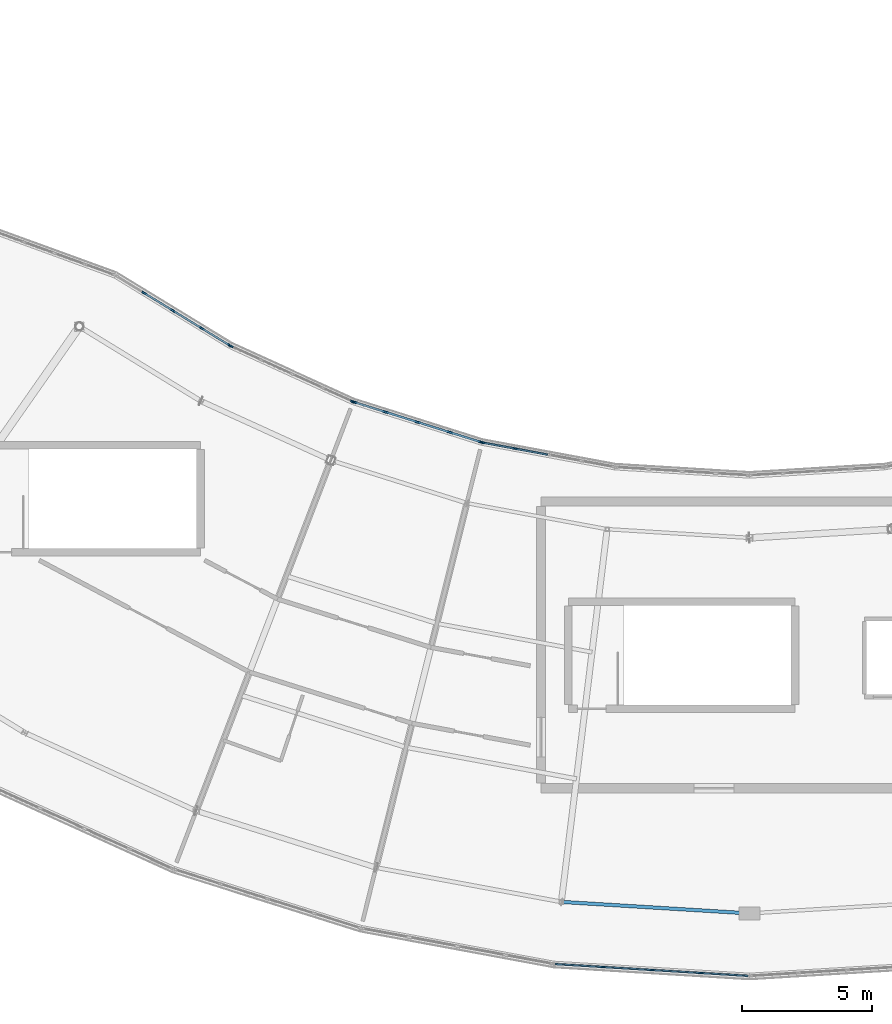
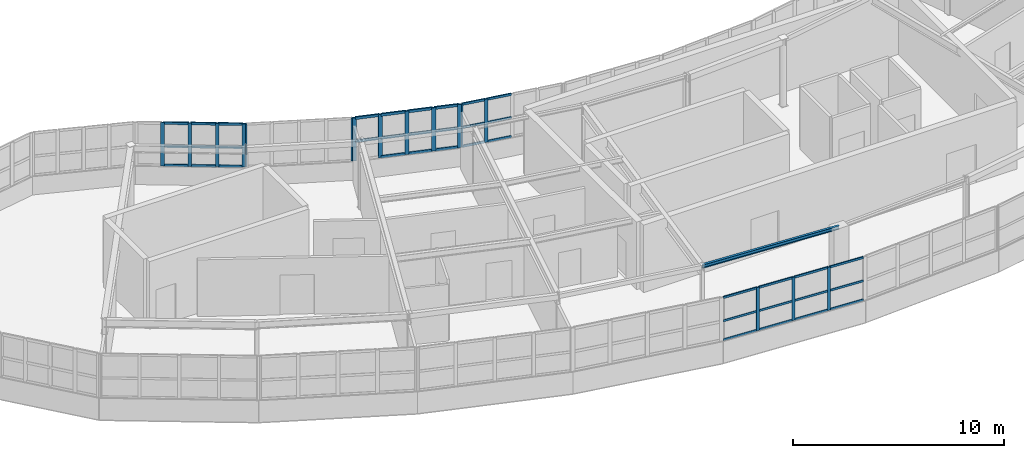
# One storey, part 18 of 60: 54 members, 1 beam, 5 elements without a shape of their own.
"""IFC4 building model written with IfcOpenShell, lengths in metres."""

from ifc_helpers import new_model, si_unit, direction, frame, origin, origin_2d, place, context, subcontext, project, spatial, rectangle, i_section, extrude, material, layer, layer_set, material_profile, profile_set, type_object, element, aggregate, save


model = new_model("IFC4")

# Units and contexts
model_context = context("Model", 3, precision=1e-05, world=origin(), true_north=direction((0.0, 1.0)))
body_context = subcontext(model_context, "Body", "Model", "MODEL_VIEW")
ifc_project = project(units=[si_unit("LENGTHUNIT", "METRE"), si_unit("AREAUNIT", "SQUARE_METRE"), si_unit("VOLUMEUNIT", "CUBIC_METRE"), si_unit("PLANEANGLEUNIT", "RADIAN"), si_unit("MASSUNIT", "GRAM", prefix="KILO")], contexts=[model_context])

# Site, building, storey
site_placement = place(None, origin())
site = spatial("IfcSite", under=ifc_project, at=site_placement, CompositionType="ELEMENT")
building_placement = place(site_placement, origin())
building = spatial("IfcBuilding", under=site, at=building_placement, Name="Tarnwether General Hospital", CompositionType="ELEMENT")
storey_placement = place(building_placement, frame((0.0, 0.0, 26.10009765625)))
storey = spatial("IfcBuildingStorey", under=building, at=storey_placement, Name="L06", CompositionType="ELEMENT", Elevation=26.10009765625)

# Beam
ifc_material_1 = material(Name="Steel Grade 350 (350 MPa)", Category="steel")
ifc_material_profile_1 = material_profile(ifc_material_1, i_section(OverallWidth=0.133056640625, OverallDepth=0.202880859375, WebThickness=0.005859375, FlangeThickness=0.0078125, at=origin_2d()), Name="200UB25.4")
ifc_profile_set_1 = profile_set([ifc_material_profile_1], Name="Steel Grade 350 (350 MPa)")
beam_type = type_object("IfcBeamType", Name="BM-SP5", PredefinedType="SPANDREL", material=ifc_profile_set_1)
beam_placement = place(storey_placement, frame((84.784912109375, 4.240966796875, 3.79833984375), z_axis=(0.998137964221, -0.060996757127, 0.0), x_axis=(0.060996757127, 0.998137964221, 0.0)))
element("IfcBeam", 1, at=beam_placement, inside=storey, type_object=beam_type, Name="Curved Ward SE Outer Spandrel BMG-L06-8478_424-9200_380-2210", PredefinedType="SPANDREL", context=body_context, shape_type="SweptSolid", body=[
    extrude(i_section(OverallWidth=0.133056640625, OverallDepth=0.202880859375, WebThickness=0.005859375, FlangeThickness=0.0078125, at=origin_2d()), origin(), (0.0, 0.0, 1.0), 7.228515625),
])

# Curtain wall, members
ifc_material_2 = material(Name="Anodised aluminium", Category="aluminium")
ifc_layer_1 = layer(ifc_material_2, 0.179931640625)
ifc_layer_set_1 = layer_set([ifc_layer_1], Name="Anodised aluminium")
curtain_wall_type_1 = type_object("IfcCurtainWallType", Name="CW-11", PredefinedType="NOTDEFINED", material=ifc_layer_set_1)
curtain_wall_1_placement = place(storey_placement, origin())
curtain_wall_1 = element("IfcCurtainWall", 2, at=curtain_wall_1_placement, inside=storey, type_object=curtain_wall_type_1, Name="Curtain Wall CWG-L06-920_14-0249", PredefinedType="NOTDEFINED")
ifc_material_3 = material(Name="Anodised aluminium", Category="aluminium")
ifc_material_profile_2 = material_profile(ifc_material_3, rectangle(XDim=0.06005859375, YDim=0.159912109375, at=origin_2d()), Name="ALU-MUL-60x160")
ifc_profile_set_2 = profile_set([ifc_material_profile_2], Name="Anodised aluminium")
member_type_1 = type_object("IfcMemberType", Name="CW-ML1", PredefinedType="MULLION", material=ifc_profile_set_2)
member_1_placement = place(storey_placement, frame((90.123291015625, 1.5146484375, 1.0498046875), z_axis=(0.0, 0.0, 1.0), x_axis=(-0.061028962567, -0.998135995608, 0.0)))
member_1 = element("IfcMember", 3, at=member_1_placement, type_object=member_type_1, Name="CW-11 mullion 2", PredefinedType="MULLION", context=body_context, shape_type="SweptSolid", body=[
    extrude(rectangle(XDim=0.06005859375, YDim=0.159912109375, at=origin_2d()), origin(), (0.0, 0.0, 1.0), 2.4951171875),
])
member_2_placement = place(storey_placement, frame((88.24658203125, 1.62939453125, 1.0498046875), z_axis=(0.0, 0.0, 1.0), x_axis=(-0.061028962567, -0.998135995608, 0.0)))
member_2 = element("IfcMember", 4, at=member_2_placement, type_object=member_type_1, Name="CW-11 mullion 3", PredefinedType="MULLION", context=body_context, shape_type="SweptSolid", body=[
    extrude(rectangle(XDim=0.06005859375, YDim=0.159912109375, at=origin_2d()), origin(), (0.0, 0.0, 1.0), 2.4951171875),
])
member_3_placement = place(storey_placement, frame((86.36962890625, 1.744140625, 1.0498046875), z_axis=(0.0, 0.0, 1.0), x_axis=(-0.061028962567, -0.998135995608, 0.0)))
member_3 = element("IfcMember", 5, at=member_3_placement, type_object=member_type_1, Name="CW-11 mullion 4", PredefinedType="MULLION", context=body_context, shape_type="SweptSolid", body=[
    extrude(rectangle(XDim=0.06005859375, YDim=0.159912109375, at=origin_2d()), origin(), (0.0, 0.0, 1.0), 2.4951171875),
])

ifc_material_4 = material(Name="Anodised aluminium", Category="aluminium")
ifc_layer_2 = layer(ifc_material_4, 0.159912109375)
ifc_layer_set_2 = layer_set([ifc_layer_2], Name="Anodised aluminium")
curtain_wall_type_2 = type_object("IfcCurtainWallType", Name="CW-03", PredefinedType="NOTDEFINED", material=ifc_layer_set_2)
curtain_wall_2_placement = place(storey_placement, origin())
curtain_wall_2 = element("IfcCurtainWall", 6, at=curtain_wall_2_placement, inside=storey, type_object=curtain_wall_type_2, Name="Curtain Wall CWG-L06-721_256-0265", PredefinedType="NOTDEFINED")
member_4_placement = place(storey_placement, frame((72.121337890625, 25.550537109375, 1.0498046875), z_axis=(0.0, 0.0, 1.0), x_axis=(0.41470501572, 0.90995590549, 0.0)))
member_4 = element("IfcMember", 7, at=member_4_placement, type_object=member_type_1, Name="CW-03 mullion 1", PredefinedType="MULLION", context=body_context, shape_type="SweptSolid", body=[
    extrude(rectangle(XDim=0.06005859375, YDim=0.159912109375, at=origin_2d()), origin(), (0.0, 0.0, 1.0), 2.4951171875),
])
member_5_placement = place(storey_placement, frame((76.777587890625, 23.428466796875, 1.0498046875), z_axis=(0.0, 0.0, 1.0), x_axis=(0.41470501572, 0.90995590549, 0.0)))
member_5 = element("IfcMember", 8, at=member_5_placement, type_object=member_type_1, Name="CW-03 mullion 5", PredefinedType="MULLION", context=body_context, shape_type="SweptSolid", body=[
    extrude(rectangle(XDim=0.06005859375, YDim=0.159912109375, at=origin_2d()), origin(), (0.0, 0.0, 1.0), 2.4951171875),
])
aggregate(curtain_wall_2, [member_4, member_5])

curtain_wall_3_placement = place(storey_placement, origin())
curtain_wall_3 = element("IfcCurtainWall", 9, at=curtain_wall_3_placement, inside=storey, type_object=curtain_wall_type_2, Name="Curtain Wall CWG-L06-677_283-0266", PredefinedType="NOTDEFINED")
ifc_material_5 = material(Name="Anodised aluminium", Category="aluminium")
ifc_material_profile_3 = material_profile(ifc_material_5, rectangle(XDim=0.070068359375, YDim=0.179931640625, at=origin_2d()), Name="ALU-MUL-70x180")
ifc_profile_set_3 = profile_set([ifc_material_profile_3], Name="Anodised aluminium")
member_type_2 = type_object("IfcMemberType", Name="CW-ML2", PredefinedType="MULLION", material=ifc_profile_set_3)
member_6_placement = place(storey_placement, frame((68.783447265625, 27.591796875, 1.0498046875), z_axis=(0.0, 0.0, 1.0), x_axis=(0.522512231483, 0.852631789198, 0.0)))
member_6 = element("IfcMember", 10, at=member_6_placement, type_object=member_type_2, Name="CW-03 mullion 2", PredefinedType="MULLION", context=body_context, shape_type="SweptSolid", body=[
    extrude(rectangle(XDim=0.070068359375, YDim=0.179931640625, at=origin_2d()), origin(), (0.0, 0.0, 1.0), 2.4951171875),
])
member_7_placement = place(storey_placement, frame((69.886962890625, 26.91552734375, 1.0498046875), z_axis=(0.0, 0.0, 1.0), x_axis=(0.522512231483, 0.852631789198, 0.0)))
member_7 = element("IfcMember", 11, at=member_7_placement, type_object=member_type_2, Name="CW-03 mullion 3", PredefinedType="MULLION", context=body_context, shape_type="SweptSolid", body=[
    extrude(rectangle(XDim=0.070068359375, YDim=0.179931640625, at=origin_2d()), origin(), (0.0, 0.0, 1.0), 2.4951171875),
])
member_8_placement = place(storey_placement, frame((70.990478515625, 26.2392578125, 1.0498046875), z_axis=(0.0, 0.0, 1.0), x_axis=(0.522512231483, 0.852631789198, 0.0)))
member_8 = element("IfcMember", 12, at=member_8_placement, type_object=member_type_2, Name="CW-03 mullion 4", PredefinedType="MULLION", context=body_context, shape_type="SweptSolid", body=[
    extrude(rectangle(XDim=0.070068359375, YDim=0.179931640625, at=origin_2d()), origin(), (0.0, 0.0, 1.0), 2.4951171875),
])
member_9_placement = place(storey_placement, frame((72.064208984375, 25.581298828125, 1.0498046875), z_axis=(0.0, 0.0, 1.0), x_axis=(0.522512231483, 0.852631789198, 0.0)))
member_9 = element("IfcMember", 13, at=member_9_placement, type_object=member_type_2, Name="CW-03 mullion 5", PredefinedType="MULLION", context=body_context, shape_type="SweptSolid", body=[
    extrude(rectangle(XDim=0.070068359375, YDim=0.179931640625, at=origin_2d()), origin(), (0.0, 0.0, 1.0), 2.4951171875),
])

curtain_wall_4_placement = place(storey_placement, origin())
curtain_wall_4 = element("IfcCurtainWall", 14, at=curtain_wall_4_placement, inside=storey, type_object=curtain_wall_type_2, Name="Curtain Wall CWG-L06-817_219-0263", PredefinedType="NOTDEFINED")
ifc_material_6 = material(Name="Anodised aluminium", Category="aluminium")
ifc_material_profile_4 = material_profile(ifc_material_6, rectangle(XDim=0.06494140625, YDim=0.169921875, at=origin_2d()), Name="ALU-MUL-65x170")
ifc_profile_set_4 = profile_set([ifc_material_profile_4], Name="Anodised aluminium")
member_type_3 = type_object("IfcMemberType", Name="CW-ML3", PredefinedType="MULLION", material=ifc_profile_set_4)
member_10_placement = place(storey_placement, frame((81.77490234375, 21.85302734375, 1.0498046875), z_axis=(0.0, 0.0, 1.0), x_axis=(0.182165351666, 0.983267910924, 0.0)))
member_10 = element("IfcMember", 15, at=member_10_placement, type_object=member_type_3, Name="CW-03 mullion 1", PredefinedType="MULLION", context=body_context, shape_type="SweptSolid", body=[
    extrude(rectangle(XDim=0.06494140625, YDim=0.169921875, at=origin_2d()), origin(), (0.0, 0.0, 1.0), 2.4951171875),
])
member_11_placement = place(storey_placement, frame((83.015380859375, 21.623291015625, 1.0498046875), z_axis=(0.0, 0.0, 1.0), x_axis=(0.182165351666, 0.983267910924, 0.0)))
member_11 = element("IfcMember", 16, at=member_11_placement, type_object=member_type_3, Name="CW-03 mullion 2", PredefinedType="MULLION", context=body_context, shape_type="SweptSolid", body=[
    extrude(rectangle(XDim=0.06494140625, YDim=0.169921875, at=origin_2d()), origin(), (0.0, 0.0, 1.0), 2.4951171875),
])

curtain_wall_5_placement = place(storey_placement, origin())
curtain_wall_5 = element("IfcCurtainWall", 17, at=curtain_wall_5_placement, inside=storey, type_object=curtain_wall_type_2, Name="Curtain Wall CWG-L06-768_234-0264", PredefinedType="NOTDEFINED")
ifc_material_7 = material(Name="Anodised aluminium", Category="aluminium")
ifc_material_profile_5 = material_profile(ifc_material_7, rectangle(XDim=0.080078125, YDim=0.199951171875, at=origin_2d()), Name="ALU-MUL-80x200")
ifc_profile_set_5 = profile_set([ifc_material_profile_5], Name="Anodised aluminium")
member_type_4 = type_object("IfcMemberType", Name="CW-ML4", PredefinedType="MULLION", material=ifc_profile_set_5)
member_12_placement = place(storey_placement, frame((76.84326171875, 23.404052734375, 1.0498046875), z_axis=(0.0, 0.0, 1.0), x_axis=(0.30071538783, 0.953713927508, 0.0)))
member_12 = element("IfcMember", 18, at=member_12_placement, type_object=member_type_4, Name="CW-03 mullion 1", PredefinedType="MULLION", context=body_context, shape_type="SweptSolid", body=[
    extrude(rectangle(XDim=0.080078125, YDim=0.199951171875, at=origin_2d()), origin(), (0.0, 0.0, 1.0), 2.4951171875),
])
member_13_placement = place(storey_placement, frame((78.03955078125, 23.02685546875, 1.0498046875), z_axis=(0.0, 0.0, 1.0), x_axis=(0.30071538783, 0.953713927508, 0.0)))
member_13 = element("IfcMember", 19, at=member_13_placement, type_object=member_type_4, Name="CW-03 mullion 2", PredefinedType="MULLION", context=body_context, shape_type="SweptSolid", body=[
    extrude(rectangle(XDim=0.080078125, YDim=0.199951171875, at=origin_2d()), origin(), (0.0, 0.0, 1.0), 2.4951171875),
])
member_14_placement = place(storey_placement, frame((79.27392578125, 22.637451171875, 1.0498046875), z_axis=(0.0, 0.0, 1.0), x_axis=(0.30071538783, 0.953713927508, 0.0)))
member_14 = element("IfcMember", 20, at=member_14_placement, type_object=member_type_4, Name="CW-03 mullion 3", PredefinedType="MULLION", context=body_context, shape_type="SweptSolid", body=[
    extrude(rectangle(XDim=0.080078125, YDim=0.199951171875, at=origin_2d()), origin(), (0.0, 0.0, 1.0), 2.4951171875),
])
member_15_placement = place(storey_placement, frame((80.508544921875, 22.248291015625, 1.0498046875), z_axis=(0.0, 0.0, 1.0), x_axis=(0.30071538783, 0.953713927508, 0.0)))
member_15 = element("IfcMember", 21, at=member_15_placement, type_object=member_type_4, Name="CW-03 mullion 4", PredefinedType="MULLION", context=body_context, shape_type="SweptSolid", body=[
    extrude(rectangle(XDim=0.080078125, YDim=0.199951171875, at=origin_2d()), origin(), (0.0, 0.0, 1.0), 2.4951171875),
])
member_16_placement = place(storey_placement, frame((81.704833984375, 21.87109375, 1.0498046875), z_axis=(0.0, 0.0, 1.0), x_axis=(0.30071538783, 0.953713927508, 0.0)))
member_16 = element("IfcMember", 22, at=member_16_placement, type_object=member_type_4, Name="CW-03 mullion 5", PredefinedType="MULLION", context=body_context, shape_type="SweptSolid", body=[
    extrude(rectangle(XDim=0.080078125, YDim=0.199951171875, at=origin_2d()), origin(), (0.0, 0.0, 1.0), 2.4951171875),
])

# Member
ifc_material_8 = material(Name="Anodised aluminium", Category="aluminium")
ifc_material_profile_6 = material_profile(ifc_material_8, rectangle(XDim=0.06005859375, YDim=0.1201171875, at=origin_2d()), Name="ALU-TRN-60x120")
ifc_profile_set_6 = profile_set([ifc_material_profile_6], Name="Anodised aluminium")
member_type_5 = type_object("IfcMemberType", Name="CW-TR1", PredefinedType="USERDEFINED", material=ifc_profile_set_6)
member_17_placement = place(storey_placement, frame((91.940185546875, 1.403564453125, 1.079833984375), z_axis=(-0.99813239123, 0.061087884053, 0.0), x_axis=(-0.061087884053, -0.99813239123, 0.0)))
member_17 = element("IfcMember", 23, at=member_17_placement, type_object=member_type_5, Name="CW-11 transom 1.1", ObjectType="TRANSOM", PredefinedType="USERDEFINED", context=body_context, shape_type="SweptSolid", body=[
    extrude(rectangle(XDim=0.06005859375, YDim=0.1201171875, at=origin_2d()), origin(), (0.0, 0.0, 1.0), 1.79052734375),
])

member_18_placement = place(storey_placement, frame((91.940185546875, 1.403564453125, 2.172607421875), z_axis=(-0.99813239123, 0.061087884053, 0.0), x_axis=(-0.061087884053, -0.99813239123, 0.0)))
member_18 = element("IfcMember", 24, at=member_18_placement, type_object=member_type_5, Name="CW-11 transom 1.2", ObjectType="TRANSOM", PredefinedType="USERDEFINED", context=body_context, shape_type="SweptSolid", body=[
    extrude(rectangle(XDim=0.06005859375, YDim=0.1201171875, at=origin_2d()), origin(), (0.0, 0.0, 1.0), 1.79052734375),
])

member_19_placement = place(storey_placement, frame((91.940185546875, 1.403564453125, 3.514892578125), z_axis=(-0.99813239123, 0.061087884053, 0.0), x_axis=(-0.061087884053, -0.99813239123, 0.0)))
member_19 = element("IfcMember", 25, at=member_19_placement, type_object=member_type_5, Name="CW-11 transom 1.3", ObjectType="TRANSOM", PredefinedType="USERDEFINED", context=body_context, shape_type="SweptSolid", body=[
    extrude(rectangle(XDim=0.06005859375, YDim=0.1201171875, at=origin_2d()), origin(), (0.0, 0.0, 1.0), 1.79052734375),
])

member_20_placement = place(storey_placement, frame((90.09326171875, 1.5166015625, 1.079833984375), z_axis=(-0.998136205649, 0.06102552722, 0.0), x_axis=(-0.06102552722, -0.998136205649, 0.0)))
member_20 = element("IfcMember", 26, at=member_20_placement, type_object=member_type_5, Name="CW-11 transom 2.1", ObjectType="TRANSOM", PredefinedType="USERDEFINED", context=body_context, shape_type="SweptSolid", body=[
    extrude(rectangle(XDim=0.06005859375, YDim=0.1201171875, at=origin_2d()), origin(), (0.0, 0.0, 1.0), 1.8203125),
])

member_21_placement = place(storey_placement, frame((90.09326171875, 1.5166015625, 2.172607421875), z_axis=(-0.998136205649, 0.06102552722, 0.0), x_axis=(-0.06102552722, -0.998136205649, 0.0)))
member_21 = element("IfcMember", 27, at=member_21_placement, type_object=member_type_5, Name="CW-11 transom 2.2", ObjectType="TRANSOM", PredefinedType="USERDEFINED", context=body_context, shape_type="SweptSolid", body=[
    extrude(rectangle(XDim=0.06005859375, YDim=0.1201171875, at=origin_2d()), origin(), (0.0, 0.0, 1.0), 1.8203125),
])

member_22_placement = place(storey_placement, frame((90.09326171875, 1.5166015625, 3.514892578125), z_axis=(-0.998136205649, 0.06102552722, 0.0), x_axis=(-0.06102552722, -0.998136205649, 0.0)))
member_22 = element("IfcMember", 28, at=member_22_placement, type_object=member_type_5, Name="CW-11 transom 2.3", ObjectType="TRANSOM", PredefinedType="USERDEFINED", context=body_context, shape_type="SweptSolid", body=[
    extrude(rectangle(XDim=0.06005859375, YDim=0.1201171875, at=origin_2d()), origin(), (0.0, 0.0, 1.0), 1.8203125),
])

member_23_placement = place(storey_placement, frame((88.216552734375, 1.63134765625, 1.079833984375), z_axis=(-0.998136205649, 0.06102552722, 0.0), x_axis=(-0.06102552722, -0.998136205649, 0.0)))
member_23 = element("IfcMember", 29, at=member_23_placement, type_object=member_type_5, Name="CW-11 transom 3.1", ObjectType="TRANSOM", PredefinedType="USERDEFINED", context=body_context, shape_type="SweptSolid", body=[
    extrude(rectangle(XDim=0.06005859375, YDim=0.1201171875, at=origin_2d()), origin(), (0.0, 0.0, 1.0), 1.8203125),
])

member_24_placement = place(storey_placement, frame((88.216552734375, 1.63134765625, 2.172607421875), z_axis=(-0.998136205649, 0.06102552722, 0.0), x_axis=(-0.06102552722, -0.998136205649, 0.0)))
member_24 = element("IfcMember", 30, at=member_24_placement, type_object=member_type_5, Name="CW-11 transom 3.2", ObjectType="TRANSOM", PredefinedType="USERDEFINED", context=body_context, shape_type="SweptSolid", body=[
    extrude(rectangle(XDim=0.06005859375, YDim=0.1201171875, at=origin_2d()), origin(), (0.0, 0.0, 1.0), 1.8203125),
])

member_25_placement = place(storey_placement, frame((88.216552734375, 1.63134765625, 3.514892578125), z_axis=(-0.998136205649, 0.06102552722, 0.0), x_axis=(-0.06102552722, -0.998136205649, 0.0)))
member_25 = element("IfcMember", 31, at=member_25_placement, type_object=member_type_5, Name="CW-11 transom 3.3", ObjectType="TRANSOM", PredefinedType="USERDEFINED", context=body_context, shape_type="SweptSolid", body=[
    extrude(rectangle(XDim=0.06005859375, YDim=0.1201171875, at=origin_2d()), origin(), (0.0, 0.0, 1.0), 1.8203125),
])

member_26_placement = place(storey_placement, frame((86.33984375, 1.74609375, 1.079833984375), z_axis=(-0.998140189557, 0.060960331293, 0.0), x_axis=(-0.060960331293, -0.998140189557, 0.0)))
member_26 = element("IfcMember", 32, at=member_26_placement, type_object=member_type_5, Name="CW-11 transom 4.1", ObjectType="TRANSOM", PredefinedType="USERDEFINED", context=body_context, shape_type="SweptSolid", body=[
    extrude(rectangle(XDim=0.06005859375, YDim=0.1201171875, at=origin_2d()), origin(), (0.0, 0.0, 1.0), 1.790283203125),
])

member_27_placement = place(storey_placement, frame((86.33984375, 1.74609375, 2.172607421875), z_axis=(-0.998140189557, 0.060960331293, 0.0), x_axis=(-0.060960331293, -0.998140189557, 0.0)))
member_27 = element("IfcMember", 33, at=member_27_placement, type_object=member_type_5, Name="CW-11 transom 4.2", ObjectType="TRANSOM", PredefinedType="USERDEFINED", context=body_context, shape_type="SweptSolid", body=[
    extrude(rectangle(XDim=0.06005859375, YDim=0.1201171875, at=origin_2d()), origin(), (0.0, 0.0, 1.0), 1.790283203125),
])

member_28_placement = place(storey_placement, frame((86.33984375, 1.74609375, 3.514892578125), z_axis=(-0.998140189557, 0.060960331293, 0.0), x_axis=(-0.060960331293, -0.998140189557, 0.0)))
member_28 = element("IfcMember", 34, at=member_28_placement, type_object=member_type_5, Name="CW-11 transom 4.3", ObjectType="TRANSOM", PredefinedType="USERDEFINED", context=body_context, shape_type="SweptSolid", body=[
    extrude(rectangle(XDim=0.06005859375, YDim=0.1201171875, at=origin_2d()), origin(), (0.0, 0.0, 1.0), 1.790283203125),
])

aggregate(curtain_wall_1, [member_1, member_2, member_3, member_17, member_18, member_19, member_20, member_21, member_22, member_23, member_24, member_25, member_26, member_27, member_28])

ifc_material_9 = material(Name="Anodised aluminium", Category="aluminium")
ifc_material_profile_7 = material_profile(ifc_material_9, rectangle(XDim=0.070068359375, YDim=0.139892578125, at=origin_2d()), Name="ALU-TRN-70x140")
ifc_profile_set_7 = profile_set([ifc_material_profile_7], Name="Anodised aluminium")
member_type_6 = type_object("IfcMemberType", Name="CW-TR2", PredefinedType="USERDEFINED", material=ifc_profile_set_7)
member_29_placement = place(storey_placement, frame((68.813232421875, 27.573486328125, 1.0849609375), z_axis=(0.852670027324, -0.522449829651, 0.0), x_axis=(0.522449829651, 0.852670027324, 0.0)))
member_29 = element("IfcMember", 35, at=member_29_placement, type_object=member_type_6, Name="CW-03 transom 2.1", ObjectType="TRANSOM", PredefinedType="USERDEFINED", context=body_context, shape_type="SweptSolid", body=[
    extrude(rectangle(XDim=0.070068359375, YDim=0.139892578125, at=origin_2d()), origin(), (0.0, 0.0, 1.0), 1.224365234375),
])

member_30_placement = place(storey_placement, frame((68.813232421875, 27.573486328125, 2.172607421875), z_axis=(0.852670027324, -0.522449829651, 0.0), x_axis=(0.522449829651, 0.852670027324, 0.0)))
member_30 = element("IfcMember", 36, at=member_30_placement, type_object=member_type_6, Name="CW-03 transom 2.2", ObjectType="TRANSOM", PredefinedType="USERDEFINED", context=body_context, shape_type="SweptSolid", body=[
    extrude(rectangle(XDim=0.070068359375, YDim=0.139892578125, at=origin_2d()), origin(), (0.0, 0.0, 1.0), 1.224365234375),
])

member_31_placement = place(storey_placement, frame((68.813232421875, 27.573486328125, 3.510009765625), z_axis=(0.852670027324, -0.522449829651, 0.0), x_axis=(0.522449829651, 0.852670027324, 0.0)))
member_31 = element("IfcMember", 37, at=member_31_placement, type_object=member_type_6, Name="CW-03 transom 2.3", ObjectType="TRANSOM", PredefinedType="USERDEFINED", context=body_context, shape_type="SweptSolid", body=[
    extrude(rectangle(XDim=0.070068359375, YDim=0.139892578125, at=origin_2d()), origin(), (0.0, 0.0, 1.0), 1.224365234375),
])

member_32_placement = place(storey_placement, frame((69.916748046875, 26.897216796875, 1.0849609375), z_axis=(0.852670027324, -0.522449829651, 0.0), x_axis=(0.522449829651, 0.852670027324, 0.0)))
member_32 = element("IfcMember", 38, at=member_32_placement, type_object=member_type_6, Name="CW-03 transom 3.1", ObjectType="TRANSOM", PredefinedType="USERDEFINED", context=body_context, shape_type="SweptSolid", body=[
    extrude(rectangle(XDim=0.070068359375, YDim=0.139892578125, at=origin_2d()), origin(), (0.0, 0.0, 1.0), 1.224365234375),
])

member_33_placement = place(storey_placement, frame((69.916748046875, 26.897216796875, 2.172607421875), z_axis=(0.852670027324, -0.522449829651, 0.0), x_axis=(0.522449829651, 0.852670027324, 0.0)))
member_33 = element("IfcMember", 39, at=member_33_placement, type_object=member_type_6, Name="CW-03 transom 3.2", ObjectType="TRANSOM", PredefinedType="USERDEFINED", context=body_context, shape_type="SweptSolid", body=[
    extrude(rectangle(XDim=0.070068359375, YDim=0.139892578125, at=origin_2d()), origin(), (0.0, 0.0, 1.0), 1.224365234375),
])

member_34_placement = place(storey_placement, frame((69.916748046875, 26.897216796875, 3.510009765625), z_axis=(0.852670027324, -0.522449829651, 0.0), x_axis=(0.522449829651, 0.852670027324, 0.0)))
member_34 = element("IfcMember", 40, at=member_34_placement, type_object=member_type_6, Name="CW-03 transom 3.3", ObjectType="TRANSOM", PredefinedType="USERDEFINED", context=body_context, shape_type="SweptSolid", body=[
    extrude(rectangle(XDim=0.070068359375, YDim=0.139892578125, at=origin_2d()), origin(), (0.0, 0.0, 1.0), 1.224365234375),
])

member_35_placement = place(storey_placement, frame((71.020263671875, 26.220947265625, 1.0849609375), z_axis=(0.852692694866, -0.522412833037, 0.0), x_axis=(0.522412833037, 0.852692694866, 0.0)))
member_35 = element("IfcMember", 41, at=member_35_placement, type_object=member_type_6, Name="CW-03 transom 4.1", ObjectType="TRANSOM", PredefinedType="USERDEFINED", context=body_context, shape_type="SweptSolid", body=[
    extrude(rectangle(XDim=0.070068359375, YDim=0.139892578125, at=origin_2d()), origin(), (0.0, 0.0, 1.0), 1.189453125),
])

member_36_placement = place(storey_placement, frame((71.020263671875, 26.220947265625, 2.172607421875), z_axis=(0.852692694866, -0.522412833037, 0.0), x_axis=(0.522412833037, 0.852692694866, 0.0)))
member_36 = element("IfcMember", 42, at=member_36_placement, type_object=member_type_6, Name="CW-03 transom 4.2", ObjectType="TRANSOM", PredefinedType="USERDEFINED", context=body_context, shape_type="SweptSolid", body=[
    extrude(rectangle(XDim=0.070068359375, YDim=0.139892578125, at=origin_2d()), origin(), (0.0, 0.0, 1.0), 1.189453125),
])

member_37_placement = place(storey_placement, frame((71.020263671875, 26.220947265625, 3.510009765625), z_axis=(0.852692694866, -0.522412833037, 0.0), x_axis=(0.522412833037, 0.852692694866, 0.0)))
member_37 = element("IfcMember", 43, at=member_37_placement, type_object=member_type_6, Name="CW-03 transom 4.3", ObjectType="TRANSOM", PredefinedType="USERDEFINED", context=body_context, shape_type="SweptSolid", body=[
    extrude(rectangle(XDim=0.070068359375, YDim=0.139892578125, at=origin_2d()), origin(), (0.0, 0.0, 1.0), 1.189453125),
])

aggregate(curtain_wall_3, [member_6, member_7, member_8, member_9, member_29, member_30, member_31, member_32, member_33, member_34, member_35, member_36, member_37])

ifc_material_10 = material(Name="Anodised aluminium", Category="aluminium")
ifc_material_profile_8 = material_profile(ifc_material_10, rectangle(XDim=0.06494140625, YDim=0.1298828125, at=origin_2d()), Name="ALU-TRN-65x130")
ifc_profile_set_8 = profile_set([ifc_material_profile_8], Name="Anodised aluminium")
member_type_7 = type_object("IfcMemberType", Name="CW-TR3", PredefinedType="USERDEFINED", material=ifc_profile_set_8)
member_38_placement = place(storey_placement, frame((81.806884765625, 21.84716796875, 1.08251953125), z_axis=(0.983267121259, -0.182169613959, 0.0), x_axis=(0.182169613959, 0.983267121259, 0.0)))
member_38 = element("IfcMember", 44, at=member_38_placement, type_object=member_type_7, Name="CW-03 transom 1.1", ObjectType="TRANSOM", PredefinedType="USERDEFINED", context=body_context, shape_type="SweptSolid", body=[
    extrude(rectangle(XDim=0.06494140625, YDim=0.1298828125, at=origin_2d()), origin(), (0.0, 0.0, 1.0), 1.19677734375),
])

member_39_placement = place(storey_placement, frame((81.806884765625, 21.84716796875, 2.172607421875), z_axis=(0.983267121259, -0.182169613959, 0.0), x_axis=(0.182169613959, 0.983267121259, 0.0)))
member_39 = element("IfcMember", 45, at=member_39_placement, type_object=member_type_7, Name="CW-03 transom 1.2", ObjectType="TRANSOM", PredefinedType="USERDEFINED", context=body_context, shape_type="SweptSolid", body=[
    extrude(rectangle(XDim=0.06494140625, YDim=0.1298828125, at=origin_2d()), origin(), (0.0, 0.0, 1.0), 1.19677734375),
])

member_40_placement = place(storey_placement, frame((81.806884765625, 21.84716796875, 3.512451171875), z_axis=(0.983267121259, -0.182169613959, 0.0), x_axis=(0.182169613959, 0.983267121259, 0.0)))
member_40 = element("IfcMember", 46, at=member_40_placement, type_object=member_type_7, Name="CW-03 transom 1.3", ObjectType="TRANSOM", PredefinedType="USERDEFINED", context=body_context, shape_type="SweptSolid", body=[
    extrude(rectangle(XDim=0.06494140625, YDim=0.1298828125, at=origin_2d()), origin(), (0.0, 0.0, 1.0), 1.19677734375),
])

member_41_placement = place(storey_placement, frame((83.04736328125, 21.617431640625, 1.08251953125), z_axis=(0.983241155151, -0.182309711256, 0.0), x_axis=(0.182309711256, 0.983241155151, 0.0)))
member_41 = element("IfcMember", 47, at=member_41_placement, type_object=member_type_7, Name="CW-03 transom 2.1", ObjectType="TRANSOM", PredefinedType="USERDEFINED", context=body_context, shape_type="SweptSolid", body=[
    extrude(rectangle(XDim=0.06494140625, YDim=0.1298828125, at=origin_2d()), origin(), (0.0, 0.0, 1.0), 1.229248046875),
])

member_42_placement = place(storey_placement, frame((83.04736328125, 21.617431640625, 2.172607421875), z_axis=(0.983241155151, -0.182309711256, 0.0), x_axis=(0.182309711256, 0.983241155151, 0.0)))
member_42 = element("IfcMember", 48, at=member_42_placement, type_object=member_type_7, Name="CW-03 transom 2.2", ObjectType="TRANSOM", PredefinedType="USERDEFINED", context=body_context, shape_type="SweptSolid", body=[
    extrude(rectangle(XDim=0.06494140625, YDim=0.1298828125, at=origin_2d()), origin(), (0.0, 0.0, 1.0), 1.229248046875),
])

member_43_placement = place(storey_placement, frame((83.04736328125, 21.617431640625, 3.512451171875), z_axis=(0.983241155151, -0.182309711256, 0.0), x_axis=(0.182309711256, 0.983241155151, 0.0)))
member_43 = element("IfcMember", 49, at=member_43_placement, type_object=member_type_7, Name="CW-03 transom 2.3", ObjectType="TRANSOM", PredefinedType="USERDEFINED", context=body_context, shape_type="SweptSolid", body=[
    extrude(rectangle(XDim=0.06494140625, YDim=0.1298828125, at=origin_2d()), origin(), (0.0, 0.0, 1.0), 1.229248046875),
])

aggregate(curtain_wall_4, [member_10, member_11, member_38, member_39, member_40, member_41, member_42, member_43])

ifc_material_11 = material(Name="Anodised aluminium", Category="aluminium")
ifc_material_profile_9 = material_profile(ifc_material_11, rectangle(XDim=0.080078125, YDim=0.14990234375, at=origin_2d()), Name="ALU-TRN-80x150")
ifc_profile_set_9 = profile_set([ifc_material_profile_9], Name="Anodised aluminium")
member_type_8 = type_object("IfcMemberType", Name="CW-TR4", PredefinedType="USERDEFINED", material=ifc_profile_set_9)
member_44_placement = place(storey_placement, frame((76.88134765625, 23.391845703125, 2.172607421875), z_axis=(0.953752168784, -0.300594079351, 0.0), x_axis=(0.300594079351, 0.953752168784, 0.0)))
member_44 = element("IfcMember", 50, at=member_44_placement, type_object=member_type_8, Name="CW-03 transom 1.2", ObjectType="TRANSOM", PredefinedType="USERDEFINED", context=body_context, shape_type="SweptSolid", body=[
    extrude(rectangle(XDim=0.080078125, YDim=0.14990234375, at=origin_2d()), origin(), (0.0, 0.0, 1.0), 1.17431640625),
])

member_45_placement = place(storey_placement, frame((76.88134765625, 23.391845703125, 3.5048828125), z_axis=(0.953752168784, -0.300594079351, 0.0), x_axis=(0.300594079351, 0.953752168784, 0.0)))
member_45 = element("IfcMember", 51, at=member_45_placement, type_object=member_type_8, Name="CW-03 transom 1.3", ObjectType="TRANSOM", PredefinedType="USERDEFINED", context=body_context, shape_type="SweptSolid", body=[
    extrude(rectangle(XDim=0.080078125, YDim=0.14990234375, at=origin_2d()), origin(), (0.0, 0.0, 1.0), 1.17431640625),
])

member_46_placement = place(storey_placement, frame((78.07763671875, 23.0146484375, 1.08984375), z_axis=(0.953704119214, -0.300746492905, 0.0), x_axis=(0.300746492905, 0.953704119214, 0.0)))
member_46 = element("IfcMember", 52, at=member_46_placement, type_object=member_type_8, Name="CW-03 transom 2.1", ObjectType="TRANSOM", PredefinedType="USERDEFINED", context=body_context, shape_type="SweptSolid", body=[
    extrude(rectangle(XDim=0.080078125, YDim=0.14990234375, at=origin_2d()), origin(), (0.0, 0.0, 1.0), 1.21435546875),
])

member_47_placement = place(storey_placement, frame((78.07763671875, 23.0146484375, 2.172607421875), z_axis=(0.953704119214, -0.300746492905, 0.0), x_axis=(0.300746492905, 0.953704119214, 0.0)))
member_47 = element("IfcMember", 53, at=member_47_placement, type_object=member_type_8, Name="CW-03 transom 2.2", ObjectType="TRANSOM", PredefinedType="USERDEFINED", context=body_context, shape_type="SweptSolid", body=[
    extrude(rectangle(XDim=0.080078125, YDim=0.14990234375, at=origin_2d()), origin(), (0.0, 0.0, 1.0), 1.21435546875),
])

member_48_placement = place(storey_placement, frame((78.07763671875, 23.0146484375, 3.5048828125), z_axis=(0.953704119214, -0.300746492905, 0.0), x_axis=(0.300746492905, 0.953704119214, 0.0)))
member_48 = element("IfcMember", 54, at=member_48_placement, type_object=member_type_8, Name="CW-03 transom 2.3", ObjectType="TRANSOM", PredefinedType="USERDEFINED", context=body_context, shape_type="SweptSolid", body=[
    extrude(rectangle(XDim=0.080078125, YDim=0.14990234375, at=origin_2d()), origin(), (0.0, 0.0, 1.0), 1.21435546875),
])

member_49_placement = place(storey_placement, frame((79.312255859375, 22.62548828125, 1.08984375), z_axis=(0.953704119214, -0.300746492905, 0.0), x_axis=(0.300746492905, 0.953704119214, 0.0)))
member_49 = element("IfcMember", 55, at=member_49_placement, type_object=member_type_8, Name="CW-03 transom 3.1", ObjectType="TRANSOM", PredefinedType="USERDEFINED", context=body_context, shape_type="SweptSolid", body=[
    extrude(rectangle(XDim=0.080078125, YDim=0.14990234375, at=origin_2d()), origin(), (0.0, 0.0, 1.0), 1.21435546875),
])

member_50_placement = place(storey_placement, frame((79.312255859375, 22.62548828125, 2.172607421875), z_axis=(0.953704119214, -0.300746492905, 0.0), x_axis=(0.300746492905, 0.953704119214, 0.0)))
member_50 = element("IfcMember", 56, at=member_50_placement, type_object=member_type_8, Name="CW-03 transom 3.2", ObjectType="TRANSOM", PredefinedType="USERDEFINED", context=body_context, shape_type="SweptSolid", body=[
    extrude(rectangle(XDim=0.080078125, YDim=0.14990234375, at=origin_2d()), origin(), (0.0, 0.0, 1.0), 1.21435546875),
])

member_51_placement = place(storey_placement, frame((79.312255859375, 22.62548828125, 3.5048828125), z_axis=(0.953704119214, -0.300746492905, 0.0), x_axis=(0.300746492905, 0.953704119214, 0.0)))
member_51 = element("IfcMember", 57, at=member_51_placement, type_object=member_type_8, Name="CW-03 transom 3.3", ObjectType="TRANSOM", PredefinedType="USERDEFINED", context=body_context, shape_type="SweptSolid", body=[
    extrude(rectangle(XDim=0.080078125, YDim=0.14990234375, at=origin_2d()), origin(), (0.0, 0.0, 1.0), 1.21435546875),
])

member_52_placement = place(storey_placement, frame((80.546630859375, 22.236328125, 1.08984375), z_axis=(0.953692556259, -0.300783158001, 0.0), x_axis=(0.300783158001, 0.953692556259, 0.0)))
member_52 = element("IfcMember", 58, at=member_52_placement, type_object=member_type_8, Name="CW-03 transom 4.1", ObjectType="TRANSOM", PredefinedType="USERDEFINED", context=body_context, shape_type="SweptSolid", body=[
    extrude(rectangle(XDim=0.080078125, YDim=0.14990234375, at=origin_2d()), origin(), (0.0, 0.0, 1.0), 1.174560546875),
])

member_53_placement = place(storey_placement, frame((80.546630859375, 22.236328125, 2.172607421875), z_axis=(0.953692556259, -0.300783158001, 0.0), x_axis=(0.300783158001, 0.953692556259, 0.0)))
member_53 = element("IfcMember", 59, at=member_53_placement, type_object=member_type_8, Name="CW-03 transom 4.2", ObjectType="TRANSOM", PredefinedType="USERDEFINED", context=body_context, shape_type="SweptSolid", body=[
    extrude(rectangle(XDim=0.080078125, YDim=0.14990234375, at=origin_2d()), origin(), (0.0, 0.0, 1.0), 1.174560546875),
])

member_54_placement = place(storey_placement, frame((80.546630859375, 22.236328125, 3.5048828125), z_axis=(0.953692556259, -0.300783158001, 0.0), x_axis=(0.300783158001, 0.953692556259, 0.0)))
member_54 = element("IfcMember", 60, at=member_54_placement, type_object=member_type_8, Name="CW-03 transom 4.3", ObjectType="TRANSOM", PredefinedType="USERDEFINED", context=body_context, shape_type="SweptSolid", body=[
    extrude(rectangle(XDim=0.080078125, YDim=0.14990234375, at=origin_2d()), origin(), (0.0, 0.0, 1.0), 1.174560546875),
])

aggregate(curtain_wall_5, [member_12, member_13, member_14, member_15, member_16, member_44, member_45, member_46, member_47, member_48, member_49, member_50, member_51, member_52, member_53, member_54])

save(model, "model.ifc")
